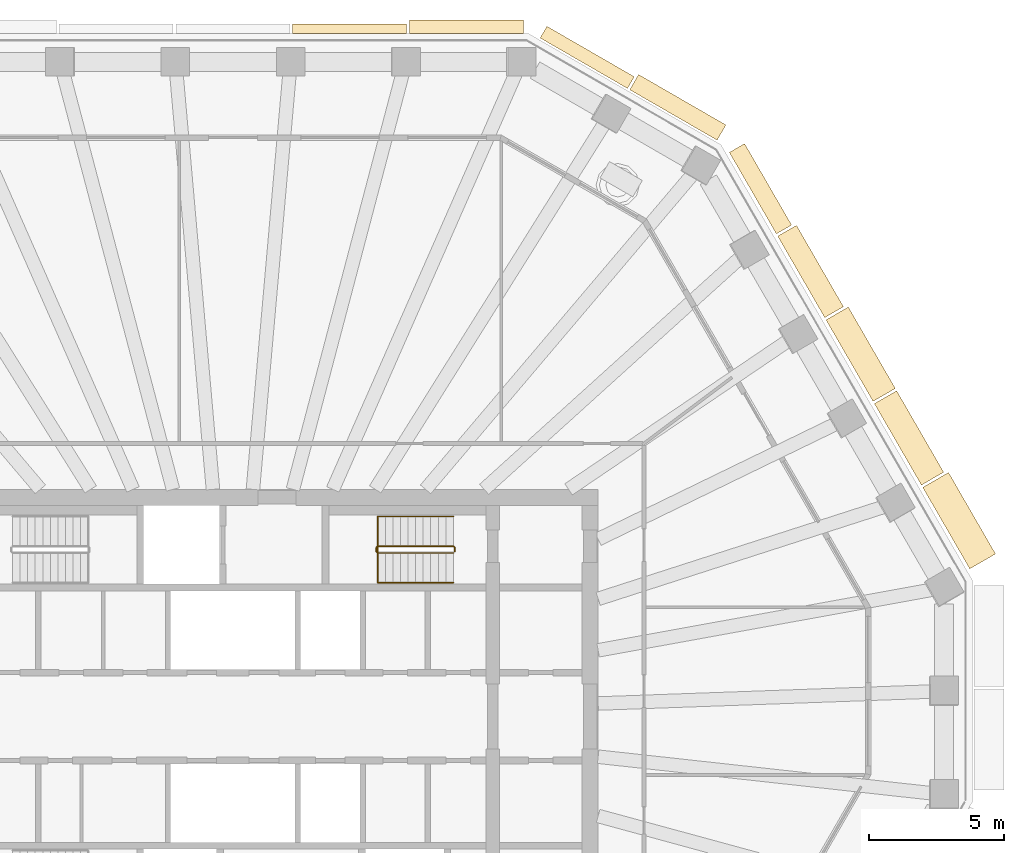
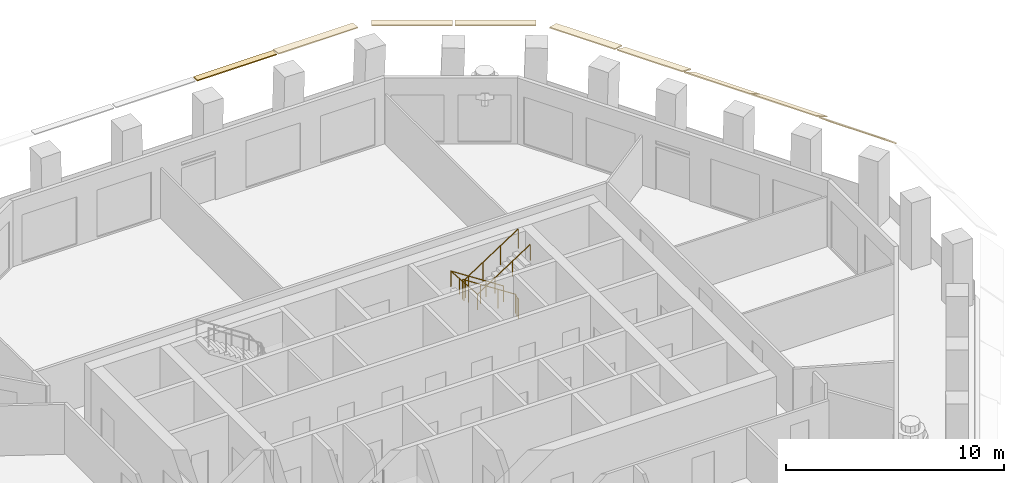
# One storey, part 10 of 12: 9 coverings, 2 railings.
"""IFC4 building model written with IfcOpenShell, lengths in metres."""

from ifc_helpers import new_model, si_unit, direction, frame, origin, origin_2d, place, context, subcontext, project, spatial, polyline, circle, outline, extrude, material, layer, layer_set, type_object, element, save


model = new_model("IFC4")

# Units and contexts
model_context = context("Model", 3, precision=1e-05, world=origin(), true_north=direction((0.0, 1.0)))
body_context = subcontext(model_context, "Body", "Model", "MODEL_VIEW")
ifc_project = project(units=[si_unit("LENGTHUNIT", "METRE"), si_unit("AREAUNIT", "SQUARE_METRE"), si_unit("VOLUMEUNIT", "CUBIC_METRE"), si_unit("PLANEANGLEUNIT", "RADIAN"), si_unit("MASSUNIT", "GRAM", prefix="KILO")], contexts=[model_context])

# Site, building, storey
site_placement = place(None, origin())
site = spatial("IfcSite", under=ifc_project, at=site_placement, CompositionType="ELEMENT")
building_placement = place(site_placement, origin())
building = spatial("IfcBuilding", under=site, at=building_placement, Name="Frailejon Research Tower", CompositionType="ELEMENT")
storey_placement = place(building_placement, frame((0.0, 0.0, 241.39990234375)))
storey = spatial("IfcBuildingStorey", under=building, at=storey_placement, Name="L52", CompositionType="ELEMENT", Elevation=241.39990234375)

# Coverings
ifc_material_1 = material(Name="Precast concrete C50/60", Category="concrete")
ifc_layer_1 = layer(ifc_material_1, 0.06005859375)
ifc_layer_set_1 = layer_set([ifc_layer_1], Name="Brim blade depth 1100")
covering_type_1 = type_object("IfcCoveringType", Name="Brim blade depth 1100", PredefinedType="CLADDING", material=ifc_layer_set_1)
covering_1_placement = place(storey_placement, frame((25.498291015625, 8.472412109375, 3.85009765625), z_axis=(0.500011436046, -0.86601880108, 0.0), x_axis=(0.86601880108, 0.500011436046, 0.0)))
element("IfcCovering", 1, at=covering_1_placement, inside=storey, type_object=covering_type_1, Name="Brim blade L52", PredefinedType="CLADDING", context=body_context, shape_type="SweptSolid", body=[
    extrude(outline(polyline([(0.0, -0.078369140625), (1.10009765625, -1.001220703125), (1.10009765625, -0.923095703125), (0.0, 0.0), (0.0, -0.078369140625)])), origin(), (0.0, 0.0, 1.0), 3.474609375),
])
ifc_material_2 = material(Name="Precast concrete C50/60", Category="concrete")
ifc_layer_2 = layer(ifc_material_2, 0.06005859375)
ifc_layer_set_2 = layer_set([ifc_layer_2], Name="Brim blade depth 350")
covering_type_2 = type_object("IfcCoveringType", Name="Brim blade depth 350", PredefinedType="CLADDING", material=ifc_layer_set_2)
covering_2_placement = place(storey_placement, frame((2.20751953125, 25.25, 3.85009765625), z_axis=(1.0, 0.0, 0.0), x_axis=(0.0, 1.0, 0.0)))
element("IfcCovering", 2, at=covering_2_placement, inside=storey, type_object=covering_type_2, Name="Brim blade L52", PredefinedType="CLADDING", context=body_context, shape_type="SweptSolid", body=[
    extrude(outline(polyline([(0.0, -0.06005859375), (0.35009765625, -0.06005859375), (0.35009765625, 0.0), (0.0, 0.0), (0.0, -0.06005859375)])), origin(), (0.0, 0.0, 1.0), 4.21484375),
])
ifc_material_3 = material(Name="Precast concrete C50/60", Category="concrete")
ifc_layer_3 = layer(ifc_material_3, 0.06005859375)
ifc_layer_set_3 = layer_set([ifc_layer_3], Name="Brim blade depth 500")
covering_type_3 = type_object("IfcCoveringType", Name="Brim blade depth 500", PredefinedType="CLADDING", material=ifc_layer_set_3)
covering_3_placement = place(storey_placement, frame((11.355224609375, 25.084228515625, 3.85009765625), z_axis=(0.866025010706, -0.50000068083, 0.0), x_axis=(0.50000068083, 0.866025010706, 0.0)))
element("IfcCovering", 3, at=covering_3_placement, inside=storey, type_object=covering_type_3, Name="Brim blade L52", PredefinedType="CLADDING", context=body_context, shape_type="SweptSolid", body=[
    extrude(outline(polyline([(0.0, -0.060546875), (0.5, -0.130859375), (0.5, -0.0703125), (0.0, 0.0), (0.0, -0.060546875)])), origin(), (0.0, 0.0, 1.0), 3.726806640625),
])
covering_4_placement = place(storey_placement, frame((6.522216796875, 25.25, 3.85009765625), z_axis=(1.0, 0.0, 0.0), x_axis=(0.0, 1.0, 0.0)))
element("IfcCovering", 4, at=covering_4_placement, inside=storey, type_object=covering_type_3, Name="Brim blade L52", PredefinedType="CLADDING", context=body_context, shape_type="SweptSolid", body=[
    extrude(outline(polyline([(0.0, -0.060546875), (0.5, -0.130859375), (0.5, -0.0703125), (0.0, 0.0), (0.0, -0.060546875)])), origin(), (0.0, 0.0, 1.0), 4.214599609375),
])
ifc_material_4 = material(Name="Precast concrete C50/60", Category="concrete")
ifc_layer_4 = layer(ifc_material_4, 0.06005859375)
ifc_layer_set_4 = layer_set([ifc_layer_4], Name="Brim blade depth 650")
covering_type_4 = type_object("IfcCoveringType", Name="Brim blade depth 650", PredefinedType="CLADDING", material=ifc_layer_set_4)
covering_5_placement = place(storey_placement, frame((18.349365234375, 20.85498046875, 3.85009765625), z_axis=(0.500011436046, -0.86601880108, 0.0), x_axis=(0.86601880108, 0.500011436046, 0.0)))
element("IfcCovering", 5, at=covering_5_placement, inside=storey, type_object=covering_type_4, Name="Brim blade L52", PredefinedType="CLADDING", context=body_context, shape_type="SweptSolid", body=[
    extrude(outline(polyline([(0.0, -0.0625), (0.64990234375, -0.248779296875), (0.64990234375, -0.186279296875), (0.0, 0.0), (0.0, -0.0625)])), origin(), (0.0, 0.0, 1.0), 3.474609375),
])
covering_6_placement = place(storey_placement, frame((14.669189453125, 23.1708984375, 3.85009765625), z_axis=(0.866029793251, -0.499992397145, 0.0), x_axis=(0.499992397145, 0.866029793251, 0.0)))
element("IfcCovering", 6, at=covering_6_placement, inside=storey, type_object=covering_type_4, Name="Brim blade L52", PredefinedType="CLADDING", context=body_context, shape_type="SweptSolid", body=[
    extrude(outline(polyline([(0.0, -0.0625), (0.64990234375, -0.248779296875), (0.64990234375, -0.186279296875), (0.0, 0.0), (0.0, -0.0625)])), origin(), (0.0, 0.0, 1.0), 3.726806640625),
])
ifc_material_5 = material(Name="Precast concrete C50/60", Category="concrete")
ifc_layer_5 = layer(ifc_material_5, 0.06005859375)
ifc_layer_set_5 = layer_set([ifc_layer_5], Name="Brim blade depth 800")
covering_type_5 = type_object("IfcCoveringType", Name="Brim blade depth 800", PredefinedType="CLADDING", material=ifc_layer_set_5)
covering_7_placement = place(storey_placement, frame((20.13671875, 17.759521484375, 3.85009765625), z_axis=(0.499990454793, -0.866030914642, 0.0), x_axis=(0.866030914642, 0.499990454793, 0.0)))
element("IfcCovering", 7, at=covering_7_placement, inside=storey, type_object=covering_type_5, Name="Brim blade L52", PredefinedType="CLADDING", context=body_context, shape_type="SweptSolid", body=[
    extrude(outline(polyline([(0.0, -0.065673828125), (0.800048828125, -0.421875), (0.800048828125, -0.356201171875), (0.0, 0.0), (0.0, -0.065673828125)])), origin(), (0.0, 0.0, 1.0), 3.474609375),
])
ifc_material_6 = material(Name="Precast concrete C50/60", Category="concrete")
ifc_layer_6 = layer(ifc_material_6, 0.06005859375)
ifc_layer_set_6 = layer_set([ifc_layer_6], Name="Brim blade depth 950")
covering_type_6 = type_object("IfcCoveringType", Name="Brim blade depth 950", PredefinedType="CLADDING", material=ifc_layer_set_6)
for number, where, z_axis, x_axis, name in (
    (8, (23.711181640625, 11.568115234375, 3.85009765625), (0.499990454793, -0.866030914642, 0.0), (0.866030914642, 0.499990454793, 0.0), "Brim blade L52"),
    (9, (21.923828125, 14.663818359375, 3.85009765625), (0.499999322849, -0.866025794738, 0.0), (0.866025794738, 0.499999322849, 0.0), "Brim blade L52"),
):
    element("IfcCovering", number, at=place(storey_placement, frame(where, z_axis=z_axis, x_axis=x_axis)), inside=storey, type_object=covering_type_6, Name=name, PredefinedType="CLADDING", context=body_context, shape_type="SweptSolid", body=[
        extrude(outline(polyline([(0.0, -0.07080078125), (0.949951171875, -0.664306640625), (0.949951171875, -0.593505859375), (0.0, 0.0), (0.0, -0.07080078125)])), origin(), (0.0, 0.0, 1.0), 3.474609375),
    ])

# Railings
ifc_material_7 = material(Name="Stainless steel", Category="steel")
railing_type_1 = type_object("IfcRailingType", Name="Stair guard 1100", PredefinedType="GUARDRAIL", material=ifc_material_7)
railing_1_placement = place(storey_placement, frame((8.199951171875, 6.10009765625, 0.0)))
element("IfcRailing", 10, at=railing_1_placement, inside=storey, type_object=railing_type_1, Name="L52 ST3 stair guard 1", PredefinedType="GUARDRAIL", context=body_context, shape_type="SweptSolid", body=[
    extrude(circle(Radius=0.02392578125, at=origin_2d()), frame((0.0, 0.0, 1.076171875), z_axis=(0.0, 1.0, 0.0), x_axis=(-1.0, 0.0, 0.0)), (0.0, 0.0, 1.0), 0.14990234375),
    extrude(circle(Radius=0.02392578125, at=origin_2d()), frame((0.0, 0.14990234375, 1.076171875), z_axis=(-0.256435381639, 0.256435381639, 0.931923704005), x_axis=(-0.707106781187, -0.707106781187, 0.0)), (0.0, 0.0, 1.0), 0.195068359375),
    extrude(circle(Radius=0.02392578125, at=origin_2d()), frame((-0.050048828125, 0.199951171875, 1.2578125), z_axis=(-0.83868413941, 0.0, 0.544618136222), x_axis=(0.0, -1.0, 0.0)), (0.0, 0.0, 1.0), 3.33837890625),
    extrude(circle(Radius=0.02392578125, at=origin_2d()), frame((-2.849853515625, 0.199951171875, 3.076171875), z_axis=(-0.707106781187, -0.707106781187, 0.0), x_axis=(0.707106781187, -0.707106781187, 0.0)), (0.0, 0.0, 1.0), 0.07080078125),
    extrude(circle(Radius=0.02392578125, at=origin_2d()), frame((-2.89990234375, 0.14990234375, 3.076171875), z_axis=(0.0, -1.0, 0.0), x_axis=(1.0, 0.0, 0.0)), (0.0, 0.0, 1.0), 0.14990234375),
    extrude(circle(Radius=0.02392578125, at=origin_2d()), frame((-2.89990234375, 0.0, 3.076171875), z_axis=(0.256435381639, -0.256435381639, 0.931923704005), x_axis=(0.707106781187, 0.707106781187, 0.0)), (0.0, 0.0, 1.0), 0.195068359375),
    extrude(circle(Radius=0.02392578125, at=origin_2d()), frame((-2.849853515625, -0.050048828125, 3.2578125), z_axis=(0.83868413941, 0.0, 0.544618136222), x_axis=(0.0, 1.0, 0.0)), (0.0, 0.0, 1.0), 3.33837890625),
    extrude(circle(Radius=0.02099609375, at=origin_2d()), origin(), (0.0, 0.0, 1.0), 1.052001953125),
    extrude(circle(Radius=0.02099609375, at=origin_2d()), frame((0.0, 0.14990234375, 0.0)), (0.0, 0.0, 1.0), 1.052001953125),
    extrude(circle(Radius=0.02099609375, at=origin_2d()), frame((-0.050048828125, 0.199951171875, 0.181884765625)), (0.0, 0.0, 1.0), 1.052001953125),
    extrude(circle(Radius=0.02099609375, at=origin_2d()), frame((-0.9833984375, 0.199951171875, 0.787841796875)), (0.0, 0.0, 1.0), 1.052001953125),
    extrude(circle(Radius=0.02099609375, at=origin_2d()), frame((-1.91650390625, 0.199951171875, 1.39404296875)), (0.0, 0.0, 1.0), 1.052001953125),
    extrude(circle(Radius=0.02099609375, at=origin_2d()), frame((-2.849853515625, 0.199951171875, 2.0)), (0.0, 0.0, 1.0), 1.052001953125),
    extrude(circle(Radius=0.02099609375, at=origin_2d()), frame((-2.89990234375, 0.14990234375, 2.0)), (0.0, 0.0, 1.0), 1.052001953125),
    extrude(circle(Radius=0.02099609375, at=origin_2d()), frame((-2.89990234375, 0.0, 2.0)), (0.0, 0.0, 1.0), 1.052001953125),
    extrude(circle(Radius=0.02099609375, at=origin_2d()), frame((-2.849853515625, -0.050048828125, 2.181884765625)), (0.0, 0.0, 1.0), 1.052001953125),
    extrude(circle(Radius=0.02099609375, at=origin_2d()), frame((-1.91650390625, -0.050048828125, 2.787841796875)), (0.0, 0.0, 1.0), 1.052001953125),
    extrude(circle(Radius=0.02099609375, at=origin_2d()), frame((-0.9833984375, -0.050048828125, 3.39404296875)), (0.0, 0.0, 1.0), 1.052001953125),
    extrude(circle(Radius=0.02099609375, at=origin_2d()), frame((-0.050048828125, -0.050048828125, 4.0)), (0.0, 0.0, 1.0), 1.052001953125),
])
ifc_material_8 = material(Name="Stainless steel", Category="steel")
railing_type_2 = type_object("IfcRailingType", Name="Stair handrail 900", PredefinedType="HANDRAIL", material=ifc_material_8)
railing_2_placement = place(storey_placement, frame((8.14990234375, 7.39990234375, 0.181884765625)))
element("IfcRailing", 11, at=railing_2_placement, inside=storey, type_object=railing_type_2, Name="L52 ST3 stair handrail 1", PredefinedType="HANDRAIL", context=body_context, shape_type="SweptSolid", body=[
    extrude(circle(Radius=0.02392578125, at=origin_2d()), frame((0.0, 0.0, 0.8759765625), z_axis=(-0.83868413941, 0.0, 0.544618136222), x_axis=(0.0, -1.0, 0.0)), (0.0, 0.0, 1.0), 3.33837890625),
    extrude(circle(Radius=0.02392578125, at=origin_2d()), frame((-2.7998046875, 0.0, 2.69384765625), z_axis=(0.0, -0.997255538948, 0.074036410216), x_axis=(1.0, 0.0, 0.0)), (0.0, 0.0, 1.0), 2.456787109375),
    extrude(circle(Radius=0.02392578125, at=origin_2d()), frame((-2.7998046875, -2.449951171875, 2.8759765625), z_axis=(0.83868413941, 0.0, 0.544618136222), x_axis=(0.0, 1.0, 0.0)), (0.0, 0.0, 1.0), 3.33837890625),
    extrude(circle(Radius=0.02099609375, at=origin_2d()), origin(), (0.0, 0.0, 1.0), 0.851806640625),
    extrude(circle(Radius=0.02099609375, at=origin_2d()), frame((-0.933349609375, 0.0, 0.60595703125)), (0.0, 0.0, 1.0), 0.851806640625),
    extrude(circle(Radius=0.02099609375, at=origin_2d()), frame((-1.866455078125, 0.0, 1.212158203125)), (0.0, 0.0, 1.0), 0.851806640625),
    extrude(circle(Radius=0.02099609375, at=origin_2d()), frame((-2.7998046875, 0.0, 1.818115234375)), (0.0, 0.0, 1.0), 0.851806640625),
    extrude(circle(Radius=0.02099609375, at=origin_2d()), frame((-2.7998046875, -0.816650390625, 1.878662109375)), (0.0, 0.0, 1.0), 0.851806640625),
    extrude(circle(Radius=0.02099609375, at=origin_2d()), frame((-2.7998046875, -1.63330078125, 1.939453125)), (0.0, 0.0, 1.0), 0.851806640625),
    extrude(circle(Radius=0.02099609375, at=origin_2d()), frame((-2.7998046875, -2.449951171875, 2.0)), (0.0, 0.0, 1.0), 0.851806640625),
    extrude(circle(Radius=0.02099609375, at=origin_2d()), frame((-1.866455078125, -2.449951171875, 2.60595703125)), (0.0, 0.0, 1.0), 0.851806640625),
    extrude(circle(Radius=0.02099609375, at=origin_2d()), frame((-0.933349609375, -2.449951171875, 3.212158203125)), (0.0, 0.0, 1.0), 0.851806640625),
    extrude(circle(Radius=0.02099609375, at=origin_2d()), frame((0.0, -2.449951171875, 3.818115234375)), (0.0, 0.0, 1.0), 0.851806640625),
])

save(model, "model.ifc")
